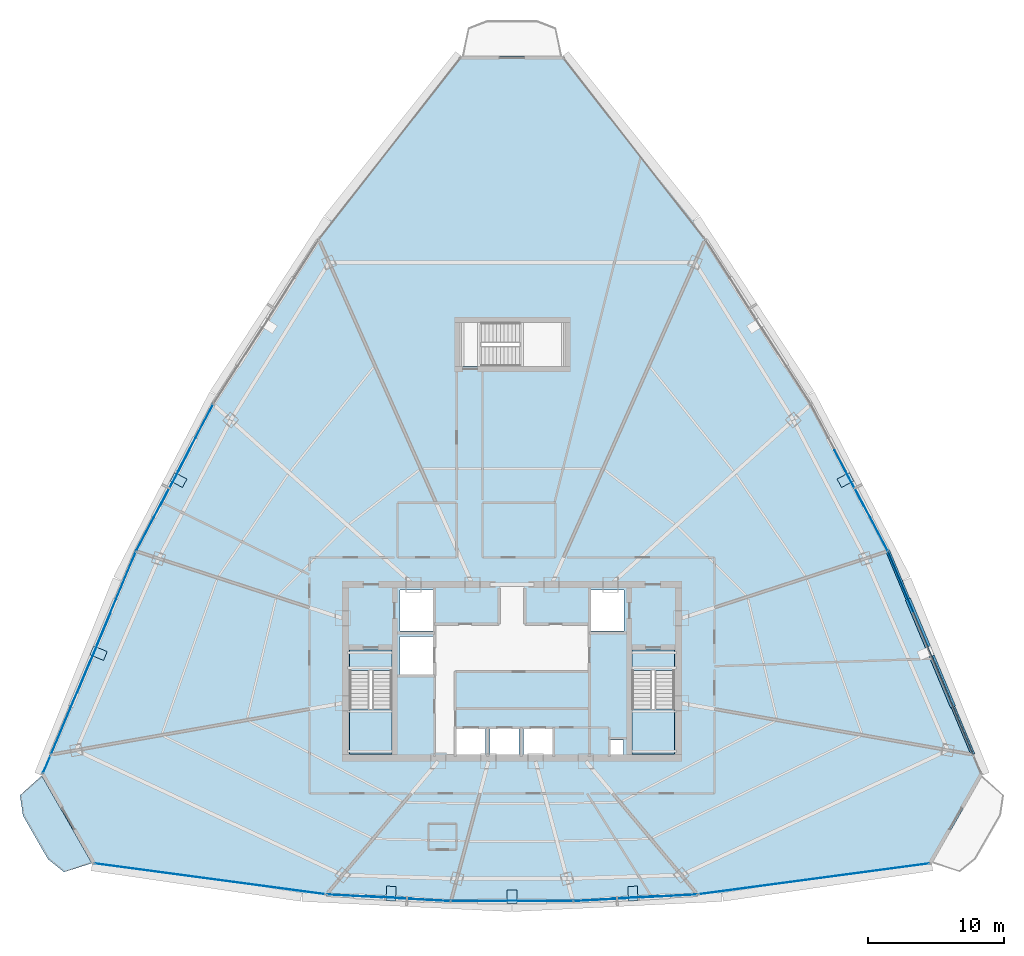
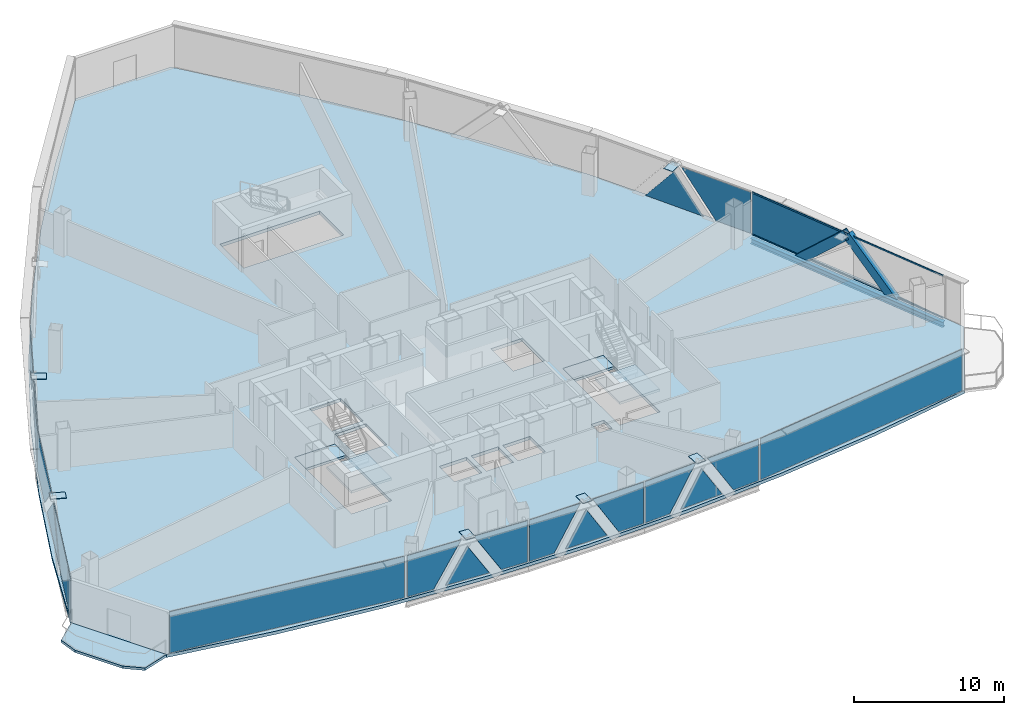
# One storey, part 28 of 37: 27 plates, 6 slabs, 4 members, 1 beam, 12 elements without a shape of their own.
"""IFC4 building model written with IfcOpenShell, lengths in metres."""

from ifc_helpers import new_model, si_unit, direction, frame, origin, origin_2d, place, context, subcontext, project, spatial, polyline, rectangle, hollow_rectangle, i_section, outline, extrude, source, transform, mapped, material, layer, layer_set, material_profile, profile_set, type_object, element, aggregate, save


model = new_model("IFC4")

# Units and contexts
model_context = context("Model", 3, precision=1e-05, world=origin(), true_north=direction((0.0, 1.0)))
body_context = subcontext(model_context, "Body", "Model", "MODEL_VIEW")
ifc_project = project(units=[si_unit("LENGTHUNIT", "METRE"), si_unit("AREAUNIT", "SQUARE_METRE"), si_unit("VOLUMEUNIT", "CUBIC_METRE"), si_unit("PLANEANGLEUNIT", "RADIAN"), si_unit("MASSUNIT", "GRAM", prefix="KILO"), si_unit("THERMODYNAMICTEMPERATUREUNIT", "KELVIN"), si_unit("POWERUNIT", "WATT")], contexts=[model_context])

# Site, building, storey
site_placement = place(None, origin())
site = spatial("IfcSite", under=ifc_project, at=site_placement, CompositionType="ELEMENT")
building_placement = place(site_placement, origin())
building = spatial("IfcBuilding", under=site, at=building_placement, Name="Yunzhuo Pagoda Commons", CompositionType="ELEMENT")
storey_placement = place(building_placement, frame((0.0, 0.0, 259.449951171875)))
storey = spatial("IfcBuildingStorey", under=building, at=storey_placement, Name="L65", CompositionType="ELEMENT", Elevation=259.449951171875)

# Beam
ifc_material_1 = material(Name="Structural steel Q355B", Category="steel")
ifc_material_profile_1 = material_profile(ifc_material_1, i_section(OverallWidth=0.300048828125, OverallDepth=0.43994140625, WebThickness=0.010986328125, FlangeThickness=0.01806640625, at=origin_2d()), Name="Structural steel Q355B")
ifc_profile_set_1 = profile_set([ifc_material_profile_1], Name="Structural steel Q355B")
beam_type = type_object("IfcBeamType", Name="B-SP2 Beam HM 440x300x11x18", PredefinedType="BEAM", material=ifc_profile_set_1)
shared_shape_1 = source(origin(), body_context, "Body", "SweptSolid", [
    extrude(i_section(OverallWidth=0.300048828125, OverallDepth=0.43994140625, WebThickness=0.010986328125, FlangeThickness=0.01806640625, at=origin_2d()), origin(), (0.0, 0.0, 1.0), 16.160888671875),
])
beam_placement = place(storey_placement, frame((81.7861328125, 27.74267578125, -0.47998046875), z_axis=(-0.386114471907, 0.922450873805, 0.0), x_axis=(-0.922450873805, -0.386114471907, 0.0)))
element("IfcBeam", 1, at=beam_placement, inside=storey, type_object=beam_type, Name="L65 facade edge spandrel beam F2.1", PredefinedType="BEAM", context=body_context, shape_type="MappedRepresentation", body=[
    mapped(shared_shape_1, transform((0.0, 0.0, 0.0), scale=1.0)),
])

# Members
ifc_material_profile_2 = material_profile(ifc_material_1, hollow_rectangle(XDim=0.39990234375, YDim=0.719970703125, WallThickness=0.02392578125, at=origin_2d()), Name="Structural steel Q355B")
ifc_profile_set_2 = profile_set([ifc_material_profile_2], Name="Structural steel Q355B")
member_type_1 = type_object("IfcMemberType", Name="M-DL2 Brace BOX 720x400x24", PredefinedType="BRACE", material=ifc_profile_set_2)
shared_shape_2 = source(origin(), body_context, "Body", "SweptSolid", [
    extrude(hollow_rectangle(XDim=0.39990234375, YDim=0.719970703125, WallThickness=0.02392578125, at=origin_2d()), origin(), (0.0, 0.0, 1.0), 5.498779296875),
])
for number, where, z_axis, x_axis, name in (
    (2, (80.22607421875, 31.469482421875, -0.260009765625), (-0.283714437249, 0.677762266761, 0.678339463581), (-0.922440988301, -0.386138088126, 0.0), "L65 facade diamond brace F2.1L"),
    (3, (77.106201171875, 38.92333984375, -0.260009765625), (0.283665074079, -0.677794806838, 0.678327594581), (0.922471518477, 0.386065146833, 0.0), "L65 facade diamond brace F2.1R"),
):
    element("IfcMember", number, at=place(storey_placement, frame(where, z_axis=z_axis, x_axis=x_axis)), inside=storey, type_object=member_type_1, Name=name, PredefinedType="BRACE", context=body_context, shape_type="MappedRepresentation", body=[
        mapped(shared_shape_2, transform((0.0, 0.0, 0.0), scale=1.0)),
    ])

# Curtain wall, members
ifc_material_2 = material(Name="Anodized aluminium 6063-T6", Category="aluminium")
ifc_layer_1 = layer(ifc_material_2, 0.139892578125)
ifc_layer_set_1 = layer_set([ifc_layer_1], Name="Anodized aluminium 6063-T6")
curtain_wall_type = type_object("IfcCurtainWallType", Name="CW-HI High-Zone Ribbon Curtain Wall", PredefinedType="NOTDEFINED", material=ifc_layer_set_1)
curtain_wall_1_placement = place(storey_placement, origin())
curtain_wall_1 = element("IfcCurtainWall", 4, at=curtain_wall_1_placement, inside=storey, type_object=curtain_wall_type, Name="L65 curtain wall CW-L65-F2B2", PredefinedType="NOTDEFINED")
ifc_material_profile_3 = material_profile(ifc_material_2, hollow_rectangle(XDim=0.054931640625, YDim=0.1201171875, WallThickness=0.00341796875, at=origin_2d()), Name="Anodized aluminium 6063-T6")
ifc_profile_set_3 = profile_set([ifc_material_profile_3], Name="Anodized aluminium 6063-T6")
member_type_2 = type_object("IfcMemberType", Name="CW-HI-T Transom RHS 120x55x3.5", PredefinedType="USERDEFINED", material=ifc_profile_set_3)
shared_shape_3 = source(origin(), body_context, "Body", "SweptSolid", [
    extrude(hollow_rectangle(XDim=0.054931640625, YDim=0.1201171875, WallThickness=0.00341796875, at=origin_2d()), origin(), (0.0, 0.0, 1.0), 16.041259765625),
])
member_1_placement = place(storey_placement, frame((81.76318359375, 27.7978515625, 0.027587890625), z_axis=(-0.386122427173, 0.922447543893, 0.0), x_axis=(-0.922447543893, -0.386122427173, 0.0)))
member_1 = element("IfcMember", 5, at=member_1_placement, type_object=member_type_2, Name="CW transom 1.1", ObjectType="TRANSOM", PredefinedType="USERDEFINED", context=body_context, shape_type="MappedRepresentation", body=[
    mapped(shared_shape_3, transform((0.0, 0.0, 0.0), scale=1.0)),
])
member_2_placement = place(storey_placement, frame((81.76318359375, 27.7978515625, 3.442626953125), z_axis=(-0.386122427173, 0.922447543893, 0.0), x_axis=(-0.922447543893, -0.386122427173, 0.0)))
member_2 = element("IfcMember", 6, at=member_2_placement, type_object=member_type_2, Name="CW transom 1.2", ObjectType="TRANSOM", PredefinedType="USERDEFINED", context=body_context, shape_type="MappedRepresentation", body=[
    mapped(shared_shape_3, transform((0.0, 0.0, 0.0), scale=1.0)),
])

# Curtain wall, plates
curtain_wall_2_placement = place(storey_placement, origin())
curtain_wall_2 = element("IfcCurtainWall", 7, at=curtain_wall_2_placement, inside=storey, type_object=curtain_wall_type, Name="L65 curtain wall CW-L65-F1B2", PredefinedType="NOTDEFINED")
ifc_material_3 = material(Name="Tempered low-e double glazing", Category="glass")
ifc_layer_2 = layer(ifc_material_3, 0.02587890625)
ifc_layer_set_2 = layer_set([ifc_layer_2], Name="Tempered low-e double glazing")
plate_type_1 = type_object("IfcPlateType", Name="CW-HI-P Low-E Double Glazing 26", PredefinedType="CURTAIN_PANEL", material=ifc_layer_set_2)
plate_1_placement = place(storey_placement, frame((36.476318359375, 17.3994140625, 1.735107421875), z_axis=(-0.053988827702, -0.998541539688, 0.0), x_axis=(0.998541539688, -0.053988827702, 0.0)))
plate_1 = element("IfcPlate", 8, at=plate_1_placement, type_object=plate_type_1, Name="CW panel 1.1 lite 1", PredefinedType="CURTAIN_PANEL", context=body_context, shape_type="SweptSolid", body=[
    extrude(outline(polyline([(-2.01416015625, -1.679931640625), (-0.043212890625, -1.679931640625), (2.01416015625, 1.679931640625), (-2.01416015625, 1.679931640625), (-2.01416015625, -1.679931640625)])), origin(), (0.0, 0.0, 1.0), 0.028076171875),
])
plate_2_placement = place(storey_placement, frame((38.9677734375, 17.294921875, 1.398681640625), z_axis=(-0.053988827702, -0.998541539688, 0.0), x_axis=(0.998541539688, -0.053988827702, 0.0)))
plate_2 = element("IfcPlate", 9, at=plate_2_placement, type_object=plate_type_1, Name="CW panel 1.1 lite 2", PredefinedType="CURTAIN_PANEL", context=body_context, shape_type="SweptSolid", body=[
    extrude(outline(polyline([(-1.6455078125, -1.34375), (1.6455078125, -1.34375), (0.0, 1.343505859375), (-1.6455078125, -1.34375)])), origin(), (0.0, 0.0, 1.0), 0.028076171875),
])
plate_3_placement = place(storey_placement, frame((41.4560546875, 17.130126953125, 1.735107421875), z_axis=(-0.053988827702, -0.998541539688, 0.0), x_axis=(0.998541539688, -0.053988827702, 0.0)))
plate_3 = element("IfcPlate", 10, at=plate_3_placement, type_object=plate_type_1, Name="CW panel 1.1 lite 3", PredefinedType="CURTAIN_PANEL", context=body_context, shape_type="SweptSolid", body=[
    extrude(outline(polyline([(-2.01416015625, 1.679931640625), (0.043212890625, -1.679931640625), (2.01416015625, -1.679931640625), (2.01416015625, 1.679931640625), (-2.01416015625, 1.679931640625)])), origin(), (0.0, 0.0, 1.0), 0.028076171875),
])
aggregate(curtain_wall_2, [plate_1, plate_2, plate_3])

curtain_wall_3_placement = place(storey_placement, origin())
curtain_wall_3 = element("IfcCurtainWall", 11, at=curtain_wall_3_placement, inside=storey, type_object=curtain_wall_type, Name="L65 curtain wall CW-L65-F1B3", PredefinedType="NOTDEFINED")
plate_4_placement = place(storey_placement, frame((45.55517578125, 17.0185546875, 1.735107421875), z_axis=(0.0, -1.0, 0.0), x_axis=(1.0, 0.0, 0.0)))
plate_4 = element("IfcPlate", 12, at=plate_4_placement, type_object=plate_type_1, Name="CW panel 1.1 lite 1", PredefinedType="CURTAIN_PANEL", context=body_context, shape_type="SweptSolid", body=[
    extrude(outline(polyline([(-1.96875, -1.679931640625), (-0.046142578125, -1.679931640625), (1.96875, 1.679931640625), (-1.96875, 1.679931640625), (-1.96875, -1.679931640625)])), origin(), (0.0, 0.0, 1.0), 0.028076171875),
])
plate_5_placement = place(storey_placement, frame((48.0, 17.04833984375, 1.39306640625), z_axis=(0.0, -1.0, 0.0), x_axis=(1.0, 0.0, 0.0)))
plate_5 = element("IfcPlate", 13, at=plate_5_placement, type_object=plate_type_1, Name="CW panel 1.1 lite 2", PredefinedType="CURTAIN_PANEL", context=body_context, shape_type="SweptSolid", body=[
    extrude(outline(polyline([(-1.604736328125, -1.338134765625), (1.604736328125, -1.338134765625), (0.0, 1.338134765625), (-1.604736328125, -1.338134765625)])), origin(), (0.0, 0.0, 1.0), 0.028076171875),
])
plate_6_placement = place(storey_placement, frame((50.44482421875, 17.0185546875, 1.735107421875), z_axis=(0.0, -1.0, 0.0), x_axis=(1.0, 0.0, 0.0)))
plate_6 = element("IfcPlate", 14, at=plate_6_placement, type_object=plate_type_1, Name="CW panel 1.1 lite 3", PredefinedType="CURTAIN_PANEL", context=body_context, shape_type="SweptSolid", body=[
    extrude(outline(polyline([(-1.96875, 1.679931640625), (0.046142578125, -1.679931640625), (1.96875, -1.679931640625), (1.96875, 1.679931640625), (-1.96875, 1.679931640625)])), origin(), (0.0, 0.0, 1.0), 0.028076171875),
])
aggregate(curtain_wall_3, [plate_4, plate_5, plate_6])

curtain_wall_4_placement = place(storey_placement, origin())
curtain_wall_4 = element("IfcCurtainWall", 15, at=curtain_wall_4_placement, inside=storey, type_object=curtain_wall_type, Name="L65 curtain wall CW-L65-F1B4", PredefinedType="NOTDEFINED")
plate_7_placement = place(storey_placement, frame((54.5439453125, 17.130126953125, 1.735107421875), z_axis=(0.053988827702, -0.998541539688, 0.0), x_axis=(0.998541539688, 0.053988827702, 0.0)))
plate_7 = element("IfcPlate", 16, at=plate_7_placement, type_object=plate_type_1, Name="CW panel 1.1 lite 1", PredefinedType="CURTAIN_PANEL", context=body_context, shape_type="SweptSolid", body=[
    extrude(outline(polyline([(-2.01416015625, -1.679931640625), (-0.043212890625, -1.679931640625), (2.01416015625, 1.679931640625), (-2.01416015625, 1.679931640625), (-2.01416015625, -1.679931640625)])), origin(), (0.0, 0.0, 1.0), 0.028076171875),
])
plate_8_placement = place(storey_placement, frame((57.0322265625, 17.294921875, 1.398681640625), z_axis=(0.053988827702, -0.998541539688, 0.0), x_axis=(0.998541539688, 0.053988827702, 0.0)))
plate_8 = element("IfcPlate", 17, at=plate_8_placement, type_object=plate_type_1, Name="CW panel 1.1 lite 2", PredefinedType="CURTAIN_PANEL", context=body_context, shape_type="SweptSolid", body=[
    extrude(outline(polyline([(-1.6455078125, -1.34375), (1.6455078125, -1.34375), (0.0, 1.343505859375), (-1.6455078125, -1.34375)])), origin(), (0.0, 0.0, 1.0), 0.028076171875),
])
plate_9_placement = place(storey_placement, frame((59.523681640625, 17.3994140625, 1.735107421875), z_axis=(0.053988827702, -0.998541539688, 0.0), x_axis=(0.998541539688, 0.053988827702, 0.0)))
plate_9 = element("IfcPlate", 18, at=plate_9_placement, type_object=plate_type_1, Name="CW panel 1.1 lite 3", PredefinedType="CURTAIN_PANEL", context=body_context, shape_type="SweptSolid", body=[
    extrude(outline(polyline([(-2.01416015625, 1.679931640625), (0.043212890625, -1.679931640625), (2.01416015625, -1.679931640625), (2.01416015625, 1.679931640625), (-2.01416015625, 1.679931640625)])), origin(), (0.0, 0.0, 1.0), 0.028076171875),
])
aggregate(curtain_wall_4, [plate_7, plate_8, plate_9])

# Plate
plate_10_placement = place(storey_placement, frame((76.985107421875, 39.176025390625, 1.735107421875), z_axis=(0.922450521644, 0.38611531324, 0.0), x_axis=(-0.38611531324, 0.922450521644, 0.0)))
plate_10 = element("IfcPlate", 19, at=plate_10_placement, type_object=plate_type_1, Name="CW panel 1.1 lite 3", PredefinedType="CURTAIN_PANEL", context=body_context, shape_type="SweptSolid", body=[
    extrude(outline(polyline([(-3.700439453125, 1.679931640625), (-0.060791015625, -1.679931640625), (3.700439453125, -1.679931640625), (3.700439453125, 1.679931640625), (-3.700439453125, 1.679931640625)])), origin(), (0.0, 0.0, 1.0), 0.028076171875),
])

aggregate(curtain_wall_1, [member_1, member_2, plate_10])

# Curtain wall, plates
curtain_wall_5_placement = place(storey_placement, origin())
curtain_wall_5 = element("IfcCurtainWall", 20, at=curtain_wall_5_placement, inside=storey, type_object=curtain_wall_type, Name="L65 curtain wall CW-L65-F2B3", PredefinedType="NOTDEFINED")
plate_11_placement = place(storey_placement, frame((74.23291015625, 45.1259765625, 1.735107421875), z_axis=(0.885743148427, 0.464175694123, 0.0), x_axis=(-0.464175694123, 0.885743148427, 0.0)))
plate_11 = element("IfcPlate", 21, at=plate_11_placement, type_object=plate_type_1, Name="CW panel 1.1 lite 1", PredefinedType="CURTAIN_PANEL", context=body_context, shape_type="SweptSolid", body=[
    extrude(outline(polyline([(-2.742431640625, -1.679931640625), (0.00390625, -1.679931640625), (2.742431640625, 1.679931640625), (-2.742431640625, 1.679931640625), (-2.742431640625, -1.679931640625)])), origin(), (0.0, 0.0, 1.0), 0.028076171875),
])
plate_12_placement = place(storey_placement, frame((72.68505859375, 48.014892578125, 1.461669921875), z_axis=(0.885743148427, 0.464175694123, 0.0), x_axis=(-0.464175694123, 0.885743148427, 0.0)))
plate_12 = element("IfcPlate", 22, at=plate_12_placement, type_object=plate_type_1, Name="CW panel 1.1 lite 2", PredefinedType="CURTAIN_PANEL", context=body_context, shape_type="SweptSolid", body=[
    extrude(outline(polyline([(-2.29296875, -1.40673828125), (2.29296875, -1.40673828125), (0.0, 1.40673828125), (-2.29296875, -1.40673828125)])), origin(), (0.0, 0.0, 1.0), 0.028076171875),
])
aggregate(curtain_wall_5, [plate_11, plate_12])

curtain_wall_6_placement = place(storey_placement, origin())
curtain_wall_6 = element("IfcCurtainWall", 23, at=curtain_wall_6_placement, inside=storey, type_object=curtain_wall_type, Name="L65 curtain wall CW-L65-F3B3", PredefinedType="NOTDEFINED")
plate_13_placement = place(storey_placement, frame((24.809814453125, 50.931884765625, 1.735107421875), z_axis=(-0.885743148427, 0.464175694123, 0.0), x_axis=(-0.464175694123, -0.885743148427, 0.0)))
plate_13 = element("IfcPlate", 24, at=plate_13_placement, type_object=plate_type_1, Name="CW panel 1.1 lite 1", PredefinedType="CURTAIN_PANEL", context=body_context, shape_type="SweptSolid", body=[
    extrude(outline(polyline([(-2.742431640625, -1.679931640625), (0.00390625, -1.679931640625), (2.742431640625, 1.679931640625), (-2.742431640625, 1.679931640625), (-2.742431640625, -1.679931640625)])), origin(), (0.0, 0.0, 1.0), 0.028076171875),
])
plate_14_placement = place(storey_placement, frame((23.31494140625, 48.014892578125, 1.461669921875), z_axis=(-0.885743148427, 0.464175694123, 0.0), x_axis=(-0.464175694123, -0.885743148427, 0.0)))
plate_14 = element("IfcPlate", 25, at=plate_14_placement, type_object=plate_type_1, Name="CW panel 1.1 lite 2", PredefinedType="CURTAIN_PANEL", context=body_context, shape_type="SweptSolid", body=[
    extrude(outline(polyline([(-2.29296875, -1.40673828125), (2.29296875, -1.40673828125), (0.0, 1.40673828125), (-2.29296875, -1.40673828125)])), origin(), (0.0, 0.0, 1.0), 0.028076171875),
])
plate_15_placement = place(storey_placement, frame((21.76708984375, 45.1259765625, 1.735107421875), z_axis=(-0.885743148427, 0.464175694123, 0.0), x_axis=(-0.464175694123, -0.885743148427, 0.0)))
plate_15 = element("IfcPlate", 26, at=plate_15_placement, type_object=plate_type_1, Name="CW panel 1.1 lite 3", PredefinedType="CURTAIN_PANEL", context=body_context, shape_type="SweptSolid", body=[
    extrude(outline(polyline([(-2.742431640625, 1.679931640625), (-0.00390625, -1.679931640625), (2.742431640625, -1.679931640625), (2.742431640625, 1.679931640625), (-2.742431640625, 1.679931640625)])), origin(), (0.0, 0.0, 1.0), 0.028076171875),
])
aggregate(curtain_wall_6, [plate_13, plate_14, plate_15])

curtain_wall_7_placement = place(storey_placement, origin())
curtain_wall_7 = element("IfcCurtainWall", 27, at=curtain_wall_7_placement, inside=storey, type_object=curtain_wall_type, Name="L65 curtain wall CW-L65-F3B4", PredefinedType="NOTDEFINED")
plate_16_placement = place(storey_placement, frame((19.014892578125, 39.176025390625, 1.735107421875), z_axis=(-0.922450521644, 0.38611531324, 0.0), x_axis=(-0.38611531324, -0.922450521644, 0.0)))
plate_16 = element("IfcPlate", 28, at=plate_16_placement, type_object=plate_type_1, Name="CW panel 1.1 lite 1", PredefinedType="CURTAIN_PANEL", context=body_context, shape_type="SweptSolid", body=[
    extrude(outline(polyline([(-3.700439453125, -1.679931640625), (0.060791015625, -1.679931640625), (3.700439453125, 1.679931640625), (-3.700439453125, 1.679931640625), (-3.700439453125, -1.679931640625)])), origin(), (0.0, 0.0, 1.0), 0.028076171875),
])
plate_17_placement = place(storey_placement, frame((17.37451171875, 35.179443359375, 1.50390625), z_axis=(-0.922450521644, 0.38611531324, 0.0), x_axis=(-0.38611531324, -0.922450521644, 0.0)))
plate_17 = element("IfcPlate", 29, at=plate_17_placement, type_object=plate_type_1, Name="CW panel 1.1 lite 2", PredefinedType="CURTAIN_PANEL", context=body_context, shape_type="SweptSolid", body=[
    extrude(outline(polyline([(-3.138916015625, -1.448974609375), (3.138916015625, -1.448974609375), (0.0, 1.448974609375), (-3.138916015625, -1.448974609375)])), origin(), (0.0, 0.0, 1.0), 0.028076171875),
])
plate_18_placement = place(storey_placement, frame((15.6787109375, 31.205810546875, 1.735107421875), z_axis=(-0.922450521644, 0.38611531324, 0.0), x_axis=(-0.38611531324, -0.922450521644, 0.0)))
plate_18 = element("IfcPlate", 30, at=plate_18_placement, type_object=plate_type_1, Name="CW panel 1.1 lite 3", PredefinedType="CURTAIN_PANEL", context=body_context, shape_type="SweptSolid", body=[
    extrude(outline(polyline([(-3.7001953125, 1.679931640625), (-0.060791015625, -1.679931640625), (3.700439453125, -1.679931640625), (3.700439453125, 1.679931640625), (-3.7001953125, 1.679931640625)])), origin(), (0.0, 0.0, 1.0), 0.028076171875),
])
aggregate(curtain_wall_7, [plate_16, plate_17, plate_18])

# Slab
ifc_material_4 = material(Name="Concrete C40", Category="concrete")
ifc_layer_3 = layer(ifc_material_4, 0.199951171875)
ifc_layer_set_3 = layer_set([ifc_layer_3], Name="Concrete C40")
slab_type_1 = type_object("IfcSlabType", Name="SL-BAL Vertex Balcony Deck Slab 200", PredefinedType="FLOOR", material=ifc_layer_set_3)
slab_1_placement = place(storey_placement, frame((0.0, 0.0, -0.199951171875)))
element("IfcSlab", 31, at=slab_1_placement, inside=storey, type_object=slab_type_1, Name="L65 corner balcony V1", PredefinedType="FLOOR", context=body_context, shape_type="SweptSolid", body=[
    extrude(outline(polyline([(13.538818359375, 26.194580078125), (17.215087890625, 19.79150390625), (15.17431640625, 19.138427734375), (14.002197265625, 20.0751953125), (12.1640625, 23.276611328125), (11.946044921875, 24.760986328125), (13.538818359375, 26.194580078125)])), origin(), (0.0, 0.0, 1.0), 0.199951171875),
])

# Stair, slabs
stair_type_1 = type_object("IfcStairType", Name="ST-C1 Core Smokeproof Stair ST1", PredefinedType="HALF_TURN_STAIR", material=ifc_material_4)
stair_1_placement = place(storey_placement, origin())
stair_1 = element("IfcStair", 32, at=stair_1_placement, inside=storey, type_object=stair_type_1, Name="L65 Core smokeproof stair ST1", PredefinedType="HALF_TURN_STAIR")
ifc_layer_4 = layer(ifc_material_4, 0.199951171875)
ifc_layer_set_4 = layer_set([ifc_layer_4], Name="Concrete C40")
slab_type_2 = type_object("IfcSlabType", Name="SL-LND1 Stair Landing Slab 200", PredefinedType="LANDING", material=ifc_layer_set_4)
slab_2_placement = place(storey_placement, frame((0.0, 0.0, 1.6650390625)))
slab_2 = element("IfcSlab", 33, at=slab_2_placement, type_object=slab_type_2, Name="ST1 landing 1", PredefinedType="LANDING", context=body_context, shape_type="SweptSolid", body=[
    extrude(outline(polyline([(36.10009765625, 31.10009765625), (36.10009765625, 27.800048828125), (39.199951171875, 27.800048828125), (39.199951171875, 31.10009765625), (36.10009765625, 31.10009765625)])), origin(), (0.0, 0.0, 1.0), 0.199951171875),
])
slab_3_placement = place(storey_placement, frame((0.0, 0.0, -0.199951171875)))
slab_3 = element("IfcSlab", 34, at=slab_3_placement, type_object=slab_type_2, Name="ST1 floor landing L65", PredefinedType="LANDING", context=body_context, shape_type="SweptSolid", body=[
    extrude(outline(polyline([(36.10009765625, 35.39990234375), (36.10009765625, 33.89990234375), (39.199951171875, 33.89990234375), (39.199951171875, 35.39990234375), (36.10009765625, 35.39990234375)])), origin(), (0.0, 0.0, 1.0), 0.199951171875),
])
aggregate(stair_1, [slab_2, slab_3])

stair_type_2 = type_object("IfcStairType", Name="ST-C2 Core Smokeproof Stair ST2", PredefinedType="HALF_TURN_STAIR", material=ifc_material_4)
stair_2_placement = place(storey_placement, origin())
stair_2 = element("IfcStair", 35, at=stair_2_placement, inside=storey, type_object=stair_type_2, Name="L65 Core smokeproof stair ST2", PredefinedType="HALF_TURN_STAIR")
ifc_layer_5 = layer(ifc_material_4, 0.201904296875)
ifc_layer_set_5 = layer_set([ifc_layer_5], Name="Concrete C40")
slab_type_3 = type_object("IfcSlabType", Name="SL-LND2 Stair Landing Slab 202", PredefinedType="LANDING", material=ifc_layer_set_5)
slab_4_placement = place(storey_placement, frame((0.0, 0.0, 1.6650390625)))
slab_4 = element("IfcSlab", 36, at=slab_4_placement, type_object=slab_type_3, Name="ST2 landing 1", PredefinedType="LANDING", context=body_context, shape_type="SweptSolid", body=[
    extrude(outline(polyline([(56.800048828125, 31.10009765625), (56.800048828125, 27.800048828125), (59.89990234375, 27.800048828125), (59.89990234375, 31.10009765625), (56.800048828125, 31.10009765625)])), origin(), (0.0, 0.0, 1.0), 0.199951171875),
])
slab_5_placement = place(storey_placement, frame((0.0, 0.0, -0.199951171875)))
slab_5 = element("IfcSlab", 37, at=slab_5_placement, type_object=slab_type_3, Name="ST2 floor landing L65", PredefinedType="LANDING", context=body_context, shape_type="SweptSolid", body=[
    extrude(outline(polyline([(56.800048828125, 35.39990234375), (56.800048828125, 33.89990234375), (59.89990234375, 33.89990234375), (59.89990234375, 35.39990234375), (56.800048828125, 35.39990234375)])), origin(), (0.0, 0.0, 1.0), 0.199951171875),
])
aggregate(stair_2, [slab_4, slab_5])

# Slab
ifc_layer_6 = layer(ifc_material_4, 0.260009765625)
ifc_layer_set_6 = layer_set([ifc_layer_6], Name="Concrete C40")
slab_type_4 = type_object("IfcSlabType", Name="SL-TWR Typical Tower Floor Slab 260", PredefinedType="FLOOR", material=ifc_layer_set_6)
slab_6_placement = place(storey_placement, frame((0.0, 0.0, -0.260009765625)))
element("IfcSlab", 38, at=slab_6_placement, inside=storey, type_object=slab_type_4, Name="L65 structural floor slab", PredefinedType="FLOOR", context=body_context, shape_type="SweptSolid", body=[
    extrude(outline(polyline([(16.2587890625, 33.448974609375), (19.2978515625, 40.51220703125), (22.660400390625, 47.38671875), (26.34619140625, 54.072265625), (30.35546875, 60.569091796875), (34.68798828125, 66.877197265625), (39.34423828125, 72.99658203125), (44.323486328125, 78.92724609375), (51.676513671875, 78.92724609375), (56.65576171875, 72.99658203125), (61.31201171875, 66.877197265625), (65.64453125, 60.569091796875), (69.65380859375, 54.072265625), (73.339599609375, 47.38671875), (76.7021484375, 40.51220703125), (79.7412109375, 33.448974609375), (82.456787109375, 26.197021484375), (78.780517578125, 19.7939453125), (71.08544921875, 18.4833984375), (63.390380859375, 17.547119140625), (55.695068359375, 16.985595703125), (48.0, 16.798095703125), (40.304931640625, 16.985595703125), (32.60986328125, 17.547119140625), (24.91455078125, 18.4833984375), (17.219482421875, 19.7939453125), (13.543212890625, 26.197021484375), (16.2587890625, 33.448974609375)]), holes=[polyline([(56.179931640625, 28.800048828125), (55.179931640625, 28.800048828125), (55.179931640625, 27.699951171875), (56.179931640625, 27.699951171875), (56.179931640625, 28.800048828125)]), polyline([(46.050048828125, 29.64990234375), (43.949951171875, 29.64990234375), (43.949951171875, 27.60009765625), (46.050048828125, 27.60009765625), (46.050048828125, 29.64990234375)]), polyline([(48.5, 29.64990234375), (46.39990234375, 29.64990234375), (46.39990234375, 27.60009765625), (48.5, 27.60009765625), (48.5, 29.64990234375)]), polyline([(50.949951171875, 27.60009765625), (50.949951171875, 29.64990234375), (48.85009765625, 29.64990234375), (48.85009765625, 27.60009765625), (50.949951171875, 27.60009765625)]), polyline([(36.10009765625, 27.800048828125), (39.199951171875, 27.800048828125), (39.199951171875, 35.39990234375), (36.10009765625, 35.39990234375), (36.10009765625, 27.800048828125)]), polyline([(59.89990234375, 27.800048828125), (59.89990234375, 35.39990234375), (56.800048828125, 35.39990234375), (56.800048828125, 27.800048828125), (59.89990234375, 27.800048828125)]), polyline([(42.199951171875, 36.39990234375), (39.800048828125, 36.39990234375), (39.800048828125, 33.60009765625), (42.199951171875, 33.60009765625), (42.199951171875, 36.39990234375)]), polyline([(42.199951171875, 39.800048828125), (39.800048828125, 39.800048828125), (39.800048828125, 36.800048828125), (42.199951171875, 36.800048828125), (42.199951171875, 39.800048828125)]), polyline([(56.199951171875, 36.800048828125), (56.199951171875, 39.800048828125), (53.800048828125, 39.800048828125), (53.800048828125, 36.800048828125), (56.199951171875, 36.800048828125)]), polyline([(51.89990234375, 56.199951171875), (51.89990234375, 59.39990234375), (44.199951171875, 59.39990234375), (44.199951171875, 56.199951171875), (51.89990234375, 56.199951171875)])]), origin(), (0.0, 0.0, 1.0), 0.260009765625),
])

# Plates
ifc_layer_7 = layer(ifc_material_1, 0.028076171875)
ifc_layer_set_7 = layer_set([ifc_layer_7], Name="Structural steel Q355B")
plate_type_2 = type_object("IfcPlateType", Name="SP-ND1 Lattice Node Cap Plate 800x500x28", PredefinedType="USERDEFINED", material=ifc_layer_set_7)
shared_shape_4 = source(origin(), body_context, "Body", "SweptSolid", [
    extrude(rectangle(XDim=0.699951171875, YDim=1.061279296875, at=origin_2d()), origin(), (0.0, 0.0, 1.0), 0.035888671875),
])
for number, where, z_axis, x_axis, name in (
    (39, (39.136474609375, 17.562744140625, 3.43212890625), (0.0, 0.0, 1.0), (0.998541385791, -0.053991674016, 0.0), "L65 setback lattice tie plate F1.1L"),
    (40, (56.863525390625, 17.562744140625, 3.43212890625), (0.0, 0.0, 1.0), (0.998541385791, 0.053991674016, 0.0), "L65 setback lattice tie plate F1.3L"),
):
    element("IfcPlate", number, at=place(storey_placement, frame(where, z_axis=z_axis, x_axis=x_axis)), inside=storey, type_object=plate_type_2, Name=name, ObjectType="STIFFENER_PLATE", PredefinedType="USERDEFINED", context=body_context, shape_type="MappedRepresentation", body=[
        mapped(shared_shape_4, transform((0.0, 0.0, 0.0), scale=1.0)),
    ])
shared_shape_5 = source(origin(), body_context, "Body", "SweptSolid", [
    extrude(rectangle(XDim=0.699951171875, YDim=0.9853515625, at=origin_2d()), origin(), (0.0, 0.0, 1.0), 0.035888671875),
])
plate_19_placement = place(storey_placement, frame((48.0, 17.322021484375, 3.43212890625), z_axis=(0.0, 0.0, 1.0), x_axis=(1.0, 0.0, 0.0)))
element("IfcPlate", 41, at=plate_19_placement, inside=storey, type_object=plate_type_2, Name="L65 setback lattice tie plate F1.2L", ObjectType="STIFFENER_PLATE", PredefinedType="USERDEFINED", context=body_context, shape_type="MappedRepresentation", body=[
    mapped(shared_shape_5, transform((0.0, 0.0, 0.0), scale=1.0)),
])
shared_shape_6 = source(origin(), body_context, "Body", "SweptSolid", [
    extrude(rectangle(XDim=0.699951171875, YDim=1.084228515625, at=origin_2d()), origin(), (0.0, 0.0, 1.0), 0.035888671875),
])
plate_20_placement = place(storey_placement, frame((17.70068359375, 35.1796875, 3.43212890625), z_axis=(0.0, 0.0, 1.0), x_axis=(-0.386115349642, -0.922450506407, 0.0)))
element("IfcPlate", 42, at=plate_20_placement, inside=storey, type_object=plate_type_2, Name="L65 setback lattice tie plate F3.3L", ObjectType="STIFFENER_PLATE", PredefinedType="USERDEFINED", context=body_context, shape_type="MappedRepresentation", body=[
    mapped(shared_shape_6, transform((0.0, 0.0, 0.0), scale=1.0)),
])
shared_shape_7 = source(origin(), body_context, "Body", "SweptSolid", [
    extrude(rectangle(XDim=0.699951171875, YDim=1.019287109375, at=origin_2d()), origin(), (0.0, 0.0, 1.0), 0.035888671875),
])
for number, where, z_axis, x_axis, name in (
    (43, (72.434326171875, 47.867919921875, 3.43212890625), (0.0, 0.0, 1.0), (-0.464177434419, 0.885742236419, 0.0), "L65 setback lattice tie plate F2.2L"),
    (44, (23.565673828125, 47.867919921875, 3.43212890625), (0.0, 0.0, 1.0), (-0.464177434419, -0.885742236419, 0.0), "L65 setback lattice tie plate F3.2L"),
):
    element("IfcPlate", number, at=place(storey_placement, frame(where, z_axis=z_axis, x_axis=x_axis)), inside=storey, type_object=plate_type_2, Name=name, ObjectType="STIFFENER_PLATE", PredefinedType="USERDEFINED", context=body_context, shape_type="MappedRepresentation", body=[
        mapped(shared_shape_7, transform((0.0, 0.0, 0.0), scale=1.0)),
    ])

# Curtain wall, plate
curtain_wall_8_placement = place(storey_placement, origin())
curtain_wall_8 = element("IfcCurtainWall", 45, at=curtain_wall_8_placement, inside=storey, type_object=curtain_wall_type, Name="L65 curtain wall CW-L65-F1B1", PredefinedType="NOTDEFINED")
shared_shape_8 = source(origin(), body_context, "Body", "SweptSolid", [
    extrude(rectangle(XDim=16.98193359375, YDim=0.028076171875, at=origin_2d()), origin(), (0.0, 0.0, 1.0), 3.360107421875),
])
plate_21_placement = place(storey_placement, frame((25.854736328125, 18.641845703125, 0.05517578125), z_axis=(0.0, 0.0, 1.0), x_axis=(0.991161079314, -0.132663916926, 0.0)))
plate_21 = element("IfcPlate", 46, at=plate_21_placement, type_object=plate_type_1, Name="CW panel 1.1", PredefinedType="CURTAIN_PANEL", context=body_context, shape_type="MappedRepresentation", body=[
    mapped(shared_shape_8, transform((0.0, 0.0, 0.0), scale=1.0)),
])
aggregate(curtain_wall_8, [plate_21])

curtain_wall_9_placement = place(storey_placement, origin())
curtain_wall_9 = element("IfcCurtainWall", 47, at=curtain_wall_9_placement, inside=storey, type_object=curtain_wall_type, Name="L65 curtain wall CW-L65-F1B5", PredefinedType="NOTDEFINED")
plate_22_placement = place(storey_placement, frame((70.145263671875, 18.641845703125, 0.05517578125), z_axis=(0.0, 0.0, 1.0), x_axis=(0.991161079314, 0.132663916926, 0.0)))
plate_22 = element("IfcPlate", 48, at=plate_22_placement, type_object=plate_type_1, Name="CW panel 1.1", PredefinedType="CURTAIN_PANEL", context=body_context, shape_type="MappedRepresentation", body=[
    mapped(shared_shape_8, transform((0.0, 0.0, 0.0), scale=1.0)),
])
aggregate(curtain_wall_9, [plate_22])

curtain_wall_10_placement = place(storey_placement, origin())
curtain_wall_10 = element("IfcCurtainWall", 49, at=curtain_wall_10_placement, inside=storey, type_object=curtain_wall_type, Name="L65 curtain wall CW-L65-F3B5", PredefinedType="NOTDEFINED")
shared_shape_9 = source(origin(), body_context, "Body", "SweptSolid", [
    extrude(rectangle(XDim=1.328857421875, YDim=0.028076171875, at=origin_2d()), origin(), (0.0, 0.0, 1.0), 3.360107421875),
])
plate_23_placement = place(storey_placement, frame((13.896240234375, 27.009033203125, 0.05517578125), z_axis=(0.0, 0.0, 1.0), x_axis=(-0.397256840254, -0.917707471295, 0.0)))
plate_23 = element("IfcPlate", 50, at=plate_23_placement, type_object=plate_type_1, Name="CW panel 1.1", PredefinedType="CURTAIN_PANEL", context=body_context, shape_type="MappedRepresentation", body=[
    mapped(shared_shape_9, transform((0.0, 0.0, 0.0), scale=1.0)),
])
aggregate(curtain_wall_10, [plate_23])

save(model, "model.ifc")
